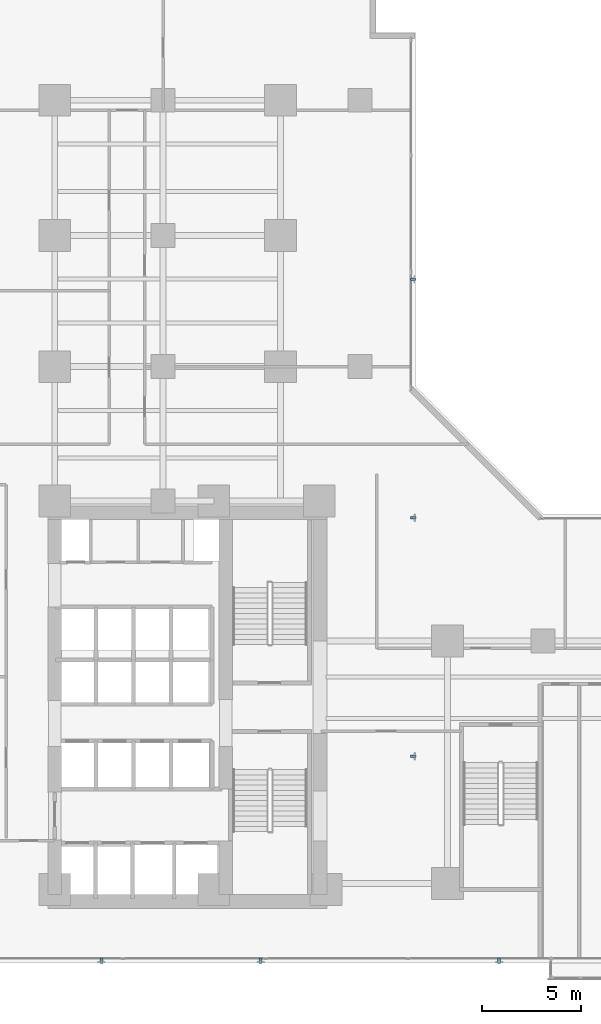
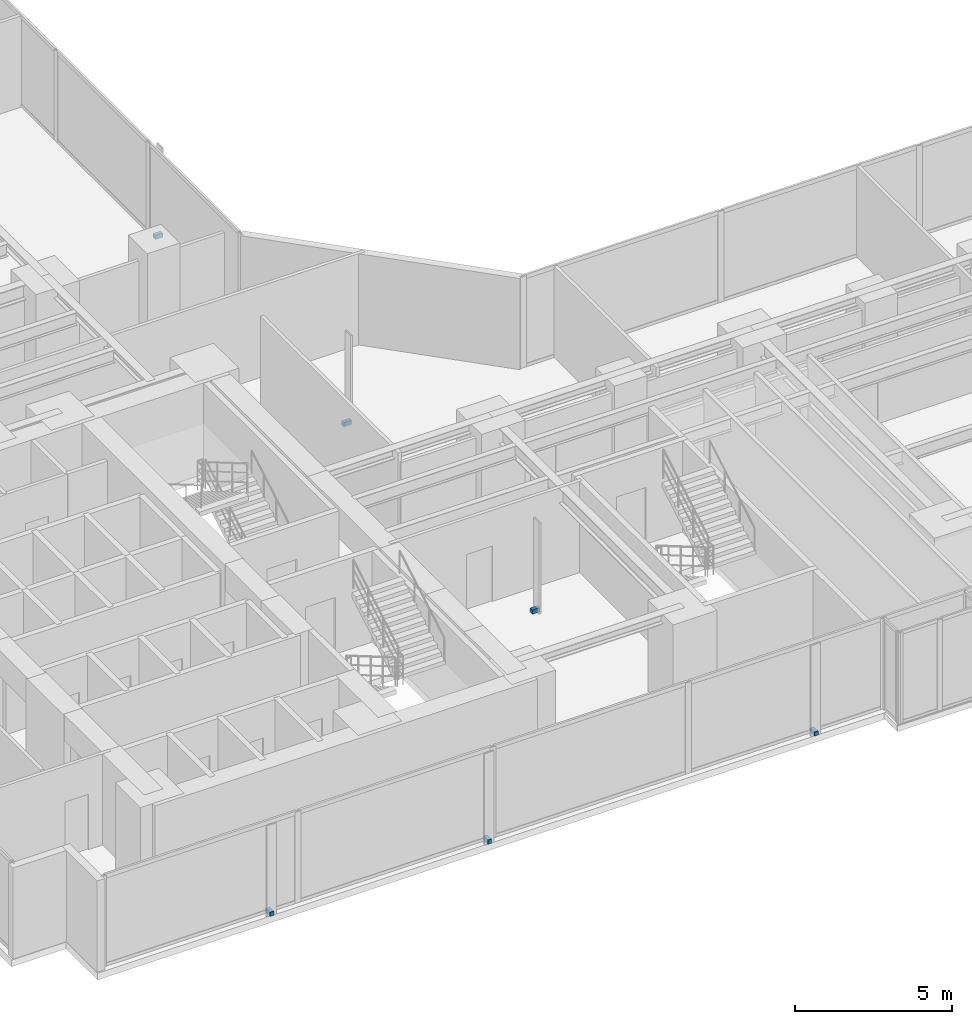
# One storey, part 26 of 29: 6 discrete accessories.
"""IFC4 building model written with IfcOpenShell, lengths in metres."""

from ifc_helpers import new_model, si_unit, direction, frame, origin, origin_with_axes, origin_2d, place, context, subcontext, project, spatial, rectangle, extrude, source, transform, mapped, material, type_object, element, save


model = new_model("IFC4")

# Units and contexts
model_context = context("Model", 3, precision=1e-05, world=origin(), true_north=direction((0.0, 1.0)))
body_context = subcontext(model_context, "Body", "Model", "MODEL_VIEW")
ifc_project = project(units=[si_unit("LENGTHUNIT", "METRE"), si_unit("AREAUNIT", "SQUARE_METRE"), si_unit("VOLUMEUNIT", "CUBIC_METRE"), si_unit("PLANEANGLEUNIT", "RADIAN"), si_unit("MASSUNIT", "GRAM", prefix="KILO")], contexts=[model_context])

# Site, building, storey
site_placement = place(None, origin())
site = spatial("IfcSite", under=ifc_project, at=site_placement, CompositionType="ELEMENT")
building_placement = place(site_placement, origin())
building = spatial("IfcBuilding", under=site, at=building_placement, Name="Kolvaren Waterfront Exchange", CompositionType="ELEMENT")
storey_placement = place(building_placement, frame((0.0, 0.0, 37.199951171875)))
storey = spatial("IfcBuildingStorey", under=building, at=storey_placement, Name="L09", CompositionType="ELEMENT", Elevation=37.199951171875)

# Discrete accessories
ifc_material = material(Name="Stainless steel 316", Category="steel")
discrete_accessory_type = type_object("IfcDiscreteAccessoryType", Name="ARC-BRK-FIN", PredefinedType="BRACKET", material=ifc_material)
shared_shape = source(origin_with_axes(), body_context, "Body", "SweptSolid", [
    extrude(rectangle(XDim=0.280029296875, YDim=0.139892578125, at=origin_2d()), origin(), (0.0, 0.0, 1.0), 0.159912109375),
])
for number, where, z_axis, x_axis, name in (
    (1, (9.800048828125, 1.320068359375, 0.0), (0.0, 0.0, 1.0), (0.0, -1.0, 0.0), "L09 bronze fin anchor bracket FIN-L09-S1"),
    (2, (17.800048828125, 1.320068359375, 0.0), (0.0, 0.0, 1.0), (0.0, -1.0, 0.0), "L09 bronze fin anchor bracket FIN-L09-S2"),
    (3, (29.800048828125, 1.320068359375, 0.0), (0.0, 0.0, 1.0), (0.0, -1.0, 0.0), "L09 bronze fin anchor bracket FIN-L09-S3"),
    (4, (25.47998046875, 11.60009765625, 0.0), (0.0, 0.0, 1.0), (1.0, 0.0, 0.0), "L09 bronze fin anchor bracket FIN-L09-E1"),
    (5, (25.47998046875, 23.60009765625, 0.0), (0.0, 0.0, 1.0), (1.0, 0.0, 0.0), "L09 bronze fin anchor bracket FIN-L09-E2"),
    (6, (25.47998046875, 35.60009765625, 0.0), (0.0, 0.0, 1.0), (1.0, 0.0, 0.0), "L09 bronze fin anchor bracket FIN-L09-E3"),
):
    element("IfcDiscreteAccessory", number, at=place(storey_placement, frame(where, z_axis=z_axis, x_axis=x_axis)), inside=storey, type_object=discrete_accessory_type, Name=name, PredefinedType="BRACKET", context=body_context, shape_type="MappedRepresentation", body=[
        mapped(shared_shape, transform((0.0, 0.0, 0.0), x_axis=(1.0, 0.0, 0.0), y_axis=(0.0, 1.0, 0.0), z_axis=(0.0, 0.0, 1.0), scale=1.0)),
    ])

save(model, "model.ifc")
